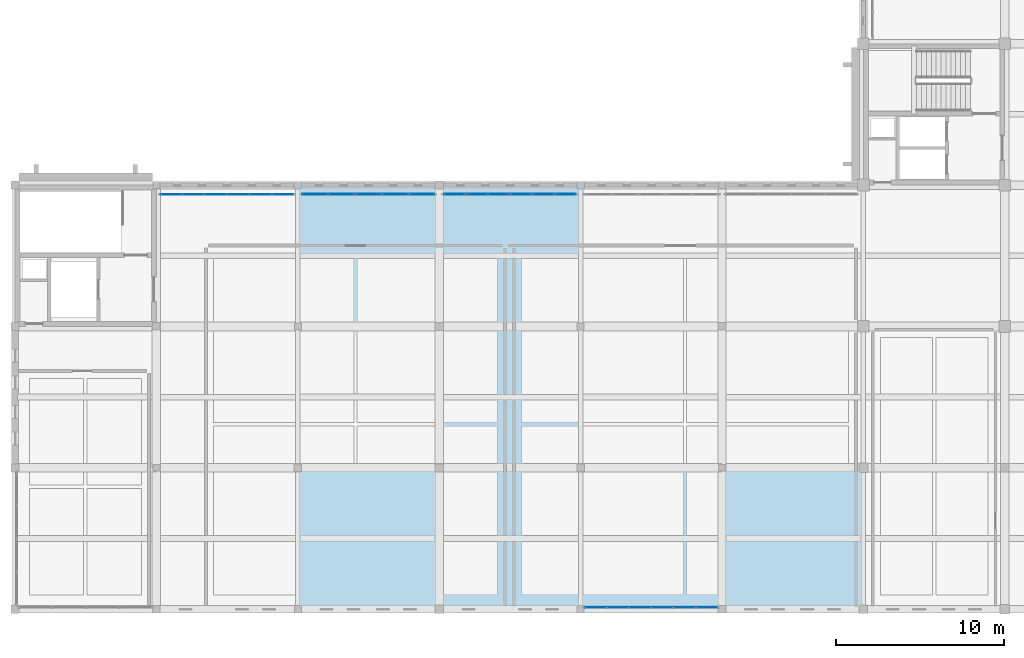
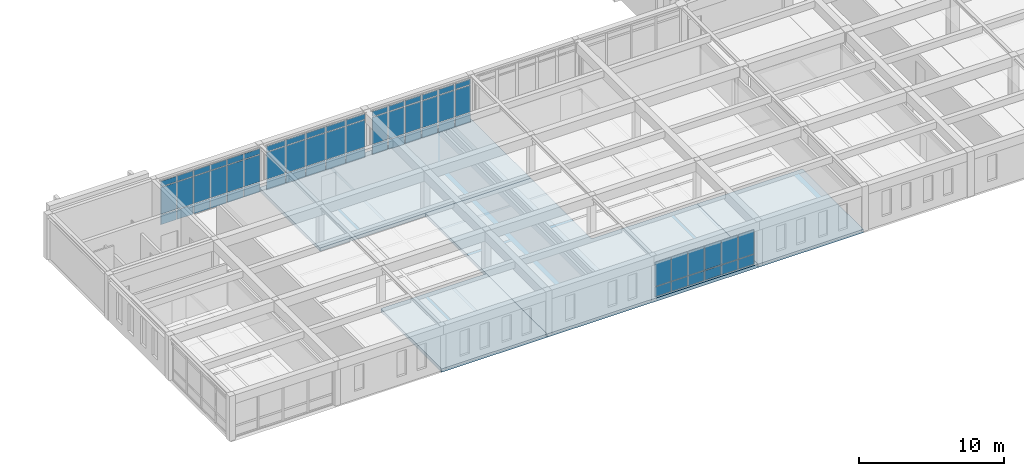
# One storey, part 55 of 110: 63 plates, 4 slabs, 4 elements without a shape of their own.
"""IFC4 building model written with IfcOpenShell, lengths in metres."""

from ifc_helpers import new_model, si_unit, direction, frame, origin, origin_2d, place, context, subcontext, project, spatial, polyline, rectangle, outline, extrude, material, layer, layer_set, type_object, element, aggregate, save


model = new_model("IFC4")

# Units and contexts
model_context = context("Model", 3, precision=1e-05, world=origin(), true_north=direction((0.0, 1.0)))
body_context = subcontext(model_context, "Body", "Model", "MODEL_VIEW")
ifc_project = project(units=[si_unit("LENGTHUNIT", "METRE"), si_unit("AREAUNIT", "SQUARE_METRE"), si_unit("VOLUMEUNIT", "CUBIC_METRE"), si_unit("PLANEANGLEUNIT", "RADIAN"), si_unit("MASSUNIT", "GRAM", prefix="KILO")], contexts=[model_context])

# Site, building, storey
site_placement = place(None, origin())
site = spatial("IfcSite", under=ifc_project, at=site_placement, CompositionType="ELEMENT")
building_placement = place(site_placement, origin())
building = spatial("IfcBuilding", under=site, at=building_placement, Name="Kveldsbrygga Polytechnic", CompositionType="ELEMENT")
storey_placement = place(building_placement, frame((0.0, 0.0, 9.860107421875)))
storey = spatial("IfcBuildingStorey", under=building, at=storey_placement, Name="L02", CompositionType="ELEMENT", Elevation=9.860107421875)

# Curtain wall, plates
ifc_material_1 = material(Name="Anodised aluminium AW-6060", Category="aluminium")
ifc_layer_1 = layer(ifc_material_1, 0.179931640625)
ifc_layer_set_1 = layer_set([ifc_layer_1], Name="Anodised aluminium AW-6060")
curtain_wall_type_1 = type_object("IfcCurtainWallType", Name="CW-CONC-A", PredefinedType="USERDEFINED", material=ifc_layer_set_1)
curtain_wall_1_placement = place(storey_placement, origin())
curtain_wall_1 = element("IfcCurtainWall", 1, at=curtain_wall_1_placement, inside=storey, type_object=curtain_wall_type_1, Name="Curtain Wall CW-L02-X-10-03", ObjectType="UNITISED CURTAIN WALL", PredefinedType="USERDEFINED")
ifc_material_2 = material(Name="Insulated triple low-E glass", Category="glass")
ifc_layer_2 = layer(ifc_material_2, 0.035888671875)
ifc_layer_set_2 = layer_set([ifc_layer_2], Name="Insulated triple low-E glass")
plate_type_1 = type_object("IfcPlateType", Name="CW-PAN-VIS36", PredefinedType="CURTAIN_PANEL", material=ifc_layer_set_2)
plate_1_placement = place(storey_placement, frame((84.8671875, 24.64990234375, 0.059814453125), z_axis=(0.0, 0.0, 1.0), x_axis=(1.0, 0.0, 0.0)))
plate_1 = element("IfcPlate", 2, at=plate_1_placement, type_object=plate_type_1, Name="CW-01 panel 1.1", PredefinedType="CURTAIN_PANEL", context=body_context, shape_type="SweptSolid", body=[
    extrude(rectangle(XDim=1.244140625, YDim=0.035888671875, at=origin_2d()), origin(), (0.0, 0.0, 1.0), 0.81005859375),
])
plate_2_placement = place(storey_placement, frame((84.8671875, 24.64990234375, 0.929931640625), z_axis=(0.0, 0.0, 1.0), x_axis=(1.0, 0.0, 0.0)))
plate_2 = element("IfcPlate", 3, at=plate_2_placement, type_object=plate_type_1, Name="CW-01 panel 1.2", PredefinedType="CURTAIN_PANEL", context=body_context, shape_type="SweptSolid", body=[
    extrude(rectangle(XDim=1.244140625, YDim=0.035888671875, at=origin_2d()), origin(), (0.0, 0.0, 1.0), 2.27001953125),
])
plate_3_placement = place(storey_placement, frame((84.8671875, 24.64990234375, 3.260009765625), z_axis=(0.0, 0.0, 1.0), x_axis=(1.0, 0.0, 0.0)))
plate_3 = element("IfcPlate", 4, at=plate_3_placement, type_object=plate_type_1, Name="CW-01 panel 1.3", PredefinedType="CURTAIN_PANEL", context=body_context, shape_type="SweptSolid", body=[
    extrude(rectangle(XDim=1.244140625, YDim=0.035888671875, at=origin_2d()), origin(), (0.0, 0.0, 1.0), 0.4599609375),
])
plate_4_placement = place(storey_placement, frame((86.186279296875, 24.64990234375, 0.059814453125), z_axis=(0.0, 0.0, 1.0), x_axis=(1.0, 0.0, 0.0)))
plate_4 = element("IfcPlate", 5, at=plate_4_placement, type_object=plate_type_1, Name="CW-01 panel 2.1", PredefinedType="CURTAIN_PANEL", context=body_context, shape_type="SweptSolid", body=[
    extrude(rectangle(XDim=1.274169921875, YDim=0.035888671875, at=origin_2d()), origin(), (0.0, 0.0, 1.0), 0.81005859375),
])
plate_5_placement = place(storey_placement, frame((86.186279296875, 24.64990234375, 0.929931640625), z_axis=(0.0, 0.0, 1.0), x_axis=(1.0, 0.0, 0.0)))
plate_5 = element("IfcPlate", 6, at=plate_5_placement, type_object=plate_type_1, Name="CW-01 panel 2.2", PredefinedType="CURTAIN_PANEL", context=body_context, shape_type="SweptSolid", body=[
    extrude(rectangle(XDim=1.274169921875, YDim=0.035888671875, at=origin_2d()), origin(), (0.0, 0.0, 1.0), 2.27001953125),
])
plate_6_placement = place(storey_placement, frame((86.186279296875, 24.64990234375, 3.260009765625), z_axis=(0.0, 0.0, 1.0), x_axis=(1.0, 0.0, 0.0)))
plate_6 = element("IfcPlate", 7, at=plate_6_placement, type_object=plate_type_1, Name="CW-01 panel 2.3", PredefinedType="CURTAIN_PANEL", context=body_context, shape_type="SweptSolid", body=[
    extrude(rectangle(XDim=1.274169921875, YDim=0.035888671875, at=origin_2d()), origin(), (0.0, 0.0, 1.0), 0.4599609375),
])
plate_7_placement = place(storey_placement, frame((87.5205078125, 24.64990234375, 0.059814453125), z_axis=(0.0, 0.0, 1.0), x_axis=(1.0, 0.0, 0.0)))
plate_7 = element("IfcPlate", 8, at=plate_7_placement, type_object=plate_type_1, Name="CW-01 panel 3.1", PredefinedType="CURTAIN_PANEL", context=body_context, shape_type="SweptSolid", body=[
    extrude(rectangle(XDim=1.274169921875, YDim=0.035888671875, at=origin_2d()), origin(), (0.0, 0.0, 1.0), 0.81005859375),
])
plate_8_placement = place(storey_placement, frame((87.5205078125, 24.64990234375, 0.929931640625), z_axis=(0.0, 0.0, 1.0), x_axis=(1.0, 0.0, 0.0)))
plate_8 = element("IfcPlate", 9, at=plate_8_placement, type_object=plate_type_1, Name="CW-01 panel 3.2", PredefinedType="CURTAIN_PANEL", context=body_context, shape_type="SweptSolid", body=[
    extrude(rectangle(XDim=1.274169921875, YDim=0.035888671875, at=origin_2d()), origin(), (0.0, 0.0, 1.0), 2.27001953125),
])
plate_9_placement = place(storey_placement, frame((87.5205078125, 24.64990234375, 3.260009765625), z_axis=(0.0, 0.0, 1.0), x_axis=(1.0, 0.0, 0.0)))
plate_9 = element("IfcPlate", 10, at=plate_9_placement, type_object=plate_type_1, Name="CW-01 panel 3.3", PredefinedType="CURTAIN_PANEL", context=body_context, shape_type="SweptSolid", body=[
    extrude(rectangle(XDim=1.274169921875, YDim=0.035888671875, at=origin_2d()), origin(), (0.0, 0.0, 1.0), 0.4599609375),
])
plate_10_placement = place(storey_placement, frame((88.8544921875, 24.64990234375, 0.059814453125), z_axis=(0.0, 0.0, 1.0), x_axis=(1.0, 0.0, 0.0)))
plate_10 = element("IfcPlate", 11, at=plate_10_placement, type_object=plate_type_1, Name="CW-01 panel 4.1", PredefinedType="CURTAIN_PANEL", context=body_context, shape_type="SweptSolid", body=[
    extrude(rectangle(XDim=1.274169921875, YDim=0.035888671875, at=origin_2d()), origin(), (0.0, 0.0, 1.0), 0.81005859375),
])
plate_11_placement = place(storey_placement, frame((88.8544921875, 24.64990234375, 0.929931640625), z_axis=(0.0, 0.0, 1.0), x_axis=(1.0, 0.0, 0.0)))
plate_11 = element("IfcPlate", 12, at=plate_11_placement, type_object=plate_type_1, Name="CW-01 panel 4.2", PredefinedType="CURTAIN_PANEL", context=body_context, shape_type="SweptSolid", body=[
    extrude(rectangle(XDim=1.274169921875, YDim=0.035888671875, at=origin_2d()), origin(), (0.0, 0.0, 1.0), 2.27001953125),
])
plate_12_placement = place(storey_placement, frame((88.8544921875, 24.64990234375, 3.260009765625), z_axis=(0.0, 0.0, 1.0), x_axis=(1.0, 0.0, 0.0)))
plate_12 = element("IfcPlate", 13, at=plate_12_placement, type_object=plate_type_1, Name="CW-01 panel 4.3", PredefinedType="CURTAIN_PANEL", context=body_context, shape_type="SweptSolid", body=[
    extrude(rectangle(XDim=1.274169921875, YDim=0.035888671875, at=origin_2d()), origin(), (0.0, 0.0, 1.0), 0.4599609375),
])
plate_13_placement = place(storey_placement, frame((90.188720703125, 24.64990234375, 0.059814453125), z_axis=(0.0, 0.0, 1.0), x_axis=(1.0, 0.0, 0.0)))
plate_13 = element("IfcPlate", 14, at=plate_13_placement, type_object=plate_type_1, Name="CW-01 panel 5.1", PredefinedType="CURTAIN_PANEL", context=body_context, shape_type="SweptSolid", body=[
    extrude(rectangle(XDim=1.274169921875, YDim=0.035888671875, at=origin_2d()), origin(), (0.0, 0.0, 1.0), 0.81005859375),
])
plate_14_placement = place(storey_placement, frame((90.188720703125, 24.64990234375, 0.929931640625), z_axis=(0.0, 0.0, 1.0), x_axis=(1.0, 0.0, 0.0)))
plate_14 = element("IfcPlate", 15, at=plate_14_placement, type_object=plate_type_1, Name="CW-01 panel 5.2", PredefinedType="CURTAIN_PANEL", context=body_context, shape_type="SweptSolid", body=[
    extrude(rectangle(XDim=1.274169921875, YDim=0.035888671875, at=origin_2d()), origin(), (0.0, 0.0, 1.0), 2.27001953125),
])
plate_15_placement = place(storey_placement, frame((90.188720703125, 24.64990234375, 3.260009765625), z_axis=(0.0, 0.0, 1.0), x_axis=(1.0, 0.0, 0.0)))
plate_15 = element("IfcPlate", 16, at=plate_15_placement, type_object=plate_type_1, Name="CW-01 panel 5.3", PredefinedType="CURTAIN_PANEL", context=body_context, shape_type="SweptSolid", body=[
    extrude(rectangle(XDim=1.274169921875, YDim=0.035888671875, at=origin_2d()), origin(), (0.0, 0.0, 1.0), 0.4599609375),
])
plate_16_placement = place(storey_placement, frame((91.5078125, 24.64990234375, 0.059814453125), z_axis=(0.0, 0.0, 1.0), x_axis=(1.0, 0.0, 0.0)))
plate_16 = element("IfcPlate", 17, at=plate_16_placement, type_object=plate_type_1, Name="CW-01 panel 6.1", PredefinedType="CURTAIN_PANEL", context=body_context, shape_type="SweptSolid", body=[
    extrude(rectangle(XDim=1.244140625, YDim=0.035888671875, at=origin_2d()), origin(), (0.0, 0.0, 1.0), 0.81005859375),
])
plate_17_placement = place(storey_placement, frame((91.5078125, 24.64990234375, 0.929931640625), z_axis=(0.0, 0.0, 1.0), x_axis=(1.0, 0.0, 0.0)))
plate_17 = element("IfcPlate", 18, at=plate_17_placement, type_object=plate_type_1, Name="CW-01 panel 6.2", PredefinedType="CURTAIN_PANEL", context=body_context, shape_type="SweptSolid", body=[
    extrude(rectangle(XDim=1.244140625, YDim=0.035888671875, at=origin_2d()), origin(), (0.0, 0.0, 1.0), 2.27001953125),
])
plate_18_placement = place(storey_placement, frame((91.5078125, 24.64990234375, 3.260009765625), z_axis=(0.0, 0.0, 1.0), x_axis=(1.0, 0.0, 0.0)))
plate_18 = element("IfcPlate", 19, at=plate_18_placement, type_object=plate_type_1, Name="CW-01 panel 6.3", PredefinedType="CURTAIN_PANEL", context=body_context, shape_type="SweptSolid", body=[
    extrude(rectangle(XDim=1.244140625, YDim=0.035888671875, at=origin_2d()), origin(), (0.0, 0.0, 1.0), 0.4599609375),
])
aggregate(curtain_wall_1, [plate_1, plate_2, plate_3, plate_4, plate_5, plate_6, plate_7, plate_8, plate_9, plate_10, plate_11, plate_12, plate_13, plate_14, plate_15, plate_16, plate_17, plate_18])

curtain_wall_2_placement = place(storey_placement, origin())
curtain_wall_2 = element("IfcCurtainWall", 20, at=curtain_wall_2_placement, inside=storey, type_object=curtain_wall_type_1, Name="Curtain Wall CW-L02-X-13-00", ObjectType="UNITISED CURTAIN WALL", PredefinedType="USERDEFINED")
plate_19_placement = place(storey_placement, frame((110.076171875, 0.10009765625, 0.059814453125), z_axis=(0.0, 0.0, 1.0), x_axis=(1.0, 0.0, 0.0)))
plate_19 = element("IfcPlate", 21, at=plate_19_placement, type_object=plate_type_1, Name="CW-01 panel 1.1", PredefinedType="CURTAIN_PANEL", context=body_context, shape_type="SweptSolid", body=[
    extrude(rectangle(XDim=1.242431640625, YDim=0.035888671875, at=origin_2d()), origin(), (0.0, 0.0, 1.0), 0.81005859375),
])
plate_20_placement = place(storey_placement, frame((110.076171875, 0.10009765625, 0.9296875), z_axis=(0.0, 0.0, 1.0), x_axis=(1.0, 0.0, 0.0)))
plate_20 = element("IfcPlate", 22, at=plate_20_placement, type_object=plate_type_1, Name="CW-01 panel 1.2", PredefinedType="CURTAIN_PANEL", context=body_context, shape_type="SweptSolid", body=[
    extrude(rectangle(XDim=1.242431640625, YDim=0.035888671875, at=origin_2d()), origin(), (0.0, 0.0, 1.0), 2.030029296875),
])
plate_21_placement = place(storey_placement, frame((111.393798828125, 0.10009765625, 0.059814453125), z_axis=(0.0, 0.0, 1.0), x_axis=(1.0, 0.0, 0.0)))
plate_21 = element("IfcPlate", 23, at=plate_21_placement, type_object=plate_type_1, Name="CW-01 panel 2.1", PredefinedType="CURTAIN_PANEL", context=body_context, shape_type="SweptSolid", body=[
    extrude(rectangle(XDim=1.2724609375, YDim=0.035888671875, at=origin_2d()), origin(), (0.0, 0.0, 1.0), 0.81005859375),
])
plate_22_placement = place(storey_placement, frame((111.393798828125, 0.10009765625, 0.9296875), z_axis=(0.0, 0.0, 1.0), x_axis=(1.0, 0.0, 0.0)))
plate_22 = element("IfcPlate", 24, at=plate_22_placement, type_object=plate_type_1, Name="CW-01 panel 2.2", PredefinedType="CURTAIN_PANEL", context=body_context, shape_type="SweptSolid", body=[
    extrude(rectangle(XDim=1.2724609375, YDim=0.035888671875, at=origin_2d()), origin(), (0.0, 0.0, 1.0), 2.030029296875),
])
plate_23_placement = place(storey_placement, frame((112.726318359375, 0.10009765625, 0.059814453125), z_axis=(0.0, 0.0, 1.0), x_axis=(1.0, 0.0, 0.0)))
plate_23 = element("IfcPlate", 25, at=plate_23_placement, type_object=plate_type_1, Name="CW-01 panel 3.1", PredefinedType="CURTAIN_PANEL", context=body_context, shape_type="SweptSolid", body=[
    extrude(rectangle(XDim=1.2724609375, YDim=0.035888671875, at=origin_2d()), origin(), (0.0, 0.0, 1.0), 0.81005859375),
])
plate_24_placement = place(storey_placement, frame((112.726318359375, 0.10009765625, 0.9296875), z_axis=(0.0, 0.0, 1.0), x_axis=(1.0, 0.0, 0.0)))
plate_24 = element("IfcPlate", 26, at=plate_24_placement, type_object=plate_type_1, Name="CW-01 panel 3.2", PredefinedType="CURTAIN_PANEL", context=body_context, shape_type="SweptSolid", body=[
    extrude(rectangle(XDim=1.2724609375, YDim=0.035888671875, at=origin_2d()), origin(), (0.0, 0.0, 1.0), 2.030029296875),
])
plate_25_placement = place(storey_placement, frame((114.058837890625, 0.10009765625, 0.059814453125), z_axis=(0.0, 0.0, 1.0), x_axis=(1.0, 0.0, 0.0)))
plate_25 = element("IfcPlate", 27, at=plate_25_placement, type_object=plate_type_1, Name="CW-01 panel 4.1", PredefinedType="CURTAIN_PANEL", context=body_context, shape_type="SweptSolid", body=[
    extrude(rectangle(XDim=1.2724609375, YDim=0.035888671875, at=origin_2d()), origin(), (0.0, 0.0, 1.0), 0.81005859375),
])
plate_26_placement = place(storey_placement, frame((114.058837890625, 0.10009765625, 0.9296875), z_axis=(0.0, 0.0, 1.0), x_axis=(1.0, 0.0, 0.0)))
plate_26 = element("IfcPlate", 28, at=plate_26_placement, type_object=plate_type_1, Name="CW-01 panel 4.2", PredefinedType="CURTAIN_PANEL", context=body_context, shape_type="SweptSolid", body=[
    extrude(rectangle(XDim=1.2724609375, YDim=0.035888671875, at=origin_2d()), origin(), (0.0, 0.0, 1.0), 2.030029296875),
])
plate_27_placement = place(storey_placement, frame((115.391357421875, 0.10009765625, 0.059814453125), z_axis=(0.0, 0.0, 1.0), x_axis=(1.0, 0.0, 0.0)))
plate_27 = element("IfcPlate", 29, at=plate_27_placement, type_object=plate_type_1, Name="CW-01 panel 5.1", PredefinedType="CURTAIN_PANEL", context=body_context, shape_type="SweptSolid", body=[
    extrude(rectangle(XDim=1.2724609375, YDim=0.035888671875, at=origin_2d()), origin(), (0.0, 0.0, 1.0), 0.81005859375),
])
plate_28_placement = place(storey_placement, frame((115.391357421875, 0.10009765625, 0.9296875), z_axis=(0.0, 0.0, 1.0), x_axis=(1.0, 0.0, 0.0)))
plate_28 = element("IfcPlate", 30, at=plate_28_placement, type_object=plate_type_1, Name="CW-01 panel 5.2", PredefinedType="CURTAIN_PANEL", context=body_context, shape_type="SweptSolid", body=[
    extrude(rectangle(XDim=1.2724609375, YDim=0.035888671875, at=origin_2d()), origin(), (0.0, 0.0, 1.0), 2.030029296875),
])
plate_29_placement = place(storey_placement, frame((116.708740234375, 0.10009765625, 0.059814453125), z_axis=(0.0, 0.0, 1.0), x_axis=(1.0, 0.0, 0.0)))
plate_29 = element("IfcPlate", 31, at=plate_29_placement, type_object=plate_type_1, Name="CW-01 panel 6.1", PredefinedType="CURTAIN_PANEL", context=body_context, shape_type="SweptSolid", body=[
    extrude(rectangle(XDim=1.242431640625, YDim=0.035888671875, at=origin_2d()), origin(), (0.0, 0.0, 1.0), 0.81005859375),
])
plate_30_placement = place(storey_placement, frame((116.708740234375, 0.10009765625, 0.9296875), z_axis=(0.0, 0.0, 1.0), x_axis=(1.0, 0.0, 0.0)))
plate_30 = element("IfcPlate", 32, at=plate_30_placement, type_object=plate_type_1, Name="CW-01 panel 6.2", PredefinedType="CURTAIN_PANEL", context=body_context, shape_type="SweptSolid", body=[
    extrude(rectangle(XDim=1.242431640625, YDim=0.035888671875, at=origin_2d()), origin(), (0.0, 0.0, 1.0), 2.030029296875),
])
aggregate(curtain_wall_2, [plate_19, plate_20, plate_21, plate_22, plate_23, plate_24, plate_25, plate_26, plate_27, plate_28, plate_29, plate_30])

ifc_layer_3 = layer(ifc_material_1, 0.199951171875)
ifc_layer_set_3 = layer_set([ifc_layer_3], Name="Anodised aluminium AW-6060")
curtain_wall_type_2 = type_object("IfcCurtainWallType", Name="CW-CONC-B", PredefinedType="USERDEFINED", material=ifc_layer_set_3)
curtain_wall_3_placement = place(storey_placement, origin())
curtain_wall_3 = element("IfcCurtainWall", 33, at=curtain_wall_3_placement, inside=storey, type_object=curtain_wall_type_2, Name="Curtain Wall CW-L02-X-11-03", ObjectType="UNITISED CURTAIN WALL", PredefinedType="USERDEFINED")
ifc_layer_4 = layer(ifc_material_2, 0.0419921875)
ifc_layer_set_4 = layer_set([ifc_layer_4], Name="Insulated triple low-E glass")
plate_type_2 = type_object("IfcPlateType", Name="CW-PAN-VIS42", PredefinedType="CURTAIN_PANEL", material=ifc_layer_set_4)
plate_31_placement = place(storey_placement, frame((93.42138671875, 24.64990234375, 0.059814453125), z_axis=(0.0, 0.0, 1.0), x_axis=(1.0, 0.0, 0.0)))
plate_31 = element("IfcPlate", 34, at=plate_31_placement, type_object=plate_type_2, Name="CW-02 panel 1.1", PredefinedType="CURTAIN_PANEL", context=body_context, shape_type="SweptSolid", body=[
    extrude(rectangle(XDim=1.5029296875, YDim=0.0419921875, at=origin_2d()), origin(), (0.0, 0.0, 1.0), 0.81005859375),
])
plate_32_placement = place(storey_placement, frame((93.42138671875, 24.64990234375, 0.929931640625), z_axis=(0.0, 0.0, 1.0), x_axis=(1.0, 0.0, 0.0)))
plate_32 = element("IfcPlate", 35, at=plate_32_placement, type_object=plate_type_2, Name="CW-02 panel 1.2", PredefinedType="CURTAIN_PANEL", context=body_context, shape_type="SweptSolid", body=[
    extrude(rectangle(XDim=1.5029296875, YDim=0.0419921875, at=origin_2d()), origin(), (0.0, 0.0, 1.0), 2.27001953125),
])
plate_33_placement = place(storey_placement, frame((93.42138671875, 24.64990234375, 3.260009765625), z_axis=(0.0, 0.0, 1.0), x_axis=(1.0, 0.0, 0.0)))
plate_33 = element("IfcPlate", 36, at=plate_33_placement, type_object=plate_type_2, Name="CW-02 panel 1.3", PredefinedType="CURTAIN_PANEL", context=body_context, shape_type="SweptSolid", body=[
    extrude(rectangle(XDim=1.5029296875, YDim=0.0419921875, at=origin_2d()), origin(), (0.0, 0.0, 1.0), 0.4599609375),
])
plate_34_placement = place(storey_placement, frame((94.99951171875, 24.64990234375, 0.059814453125), z_axis=(0.0, 0.0, 1.0), x_axis=(1.0, 0.0, 0.0)))
plate_34 = element("IfcPlate", 37, at=plate_34_placement, type_object=plate_type_2, Name="CW-02 panel 2.1", PredefinedType="CURTAIN_PANEL", context=body_context, shape_type="SweptSolid", body=[
    extrude(rectangle(XDim=1.532958984375, YDim=0.0419921875, at=origin_2d()), origin(), (0.0, 0.0, 1.0), 0.81005859375),
])
plate_35_placement = place(storey_placement, frame((94.99951171875, 24.64990234375, 0.929931640625), z_axis=(0.0, 0.0, 1.0), x_axis=(1.0, 0.0, 0.0)))
plate_35 = element("IfcPlate", 38, at=plate_35_placement, type_object=plate_type_2, Name="CW-02 panel 2.2", PredefinedType="CURTAIN_PANEL", context=body_context, shape_type="SweptSolid", body=[
    extrude(rectangle(XDim=1.532958984375, YDim=0.0419921875, at=origin_2d()), origin(), (0.0, 0.0, 1.0), 2.27001953125),
])
plate_36_placement = place(storey_placement, frame((94.99951171875, 24.64990234375, 3.260009765625), z_axis=(0.0, 0.0, 1.0), x_axis=(1.0, 0.0, 0.0)))
plate_36 = element("IfcPlate", 39, at=plate_36_placement, type_object=plate_type_2, Name="CW-02 panel 2.3", PredefinedType="CURTAIN_PANEL", context=body_context, shape_type="SweptSolid", body=[
    extrude(rectangle(XDim=1.532958984375, YDim=0.0419921875, at=origin_2d()), origin(), (0.0, 0.0, 1.0), 0.4599609375),
])
plate_37_placement = place(storey_placement, frame((96.592529296875, 24.64990234375, 0.059814453125), z_axis=(0.0, 0.0, 1.0), x_axis=(1.0, 0.0, 0.0)))
plate_37 = element("IfcPlate", 40, at=plate_37_placement, type_object=plate_type_2, Name="CW-02 panel 3.1", PredefinedType="CURTAIN_PANEL", context=body_context, shape_type="SweptSolid", body=[
    extrude(rectangle(XDim=1.532958984375, YDim=0.0419921875, at=origin_2d()), origin(), (0.0, 0.0, 1.0), 0.81005859375),
])
plate_38_placement = place(storey_placement, frame((96.592529296875, 24.64990234375, 0.929931640625), z_axis=(0.0, 0.0, 1.0), x_axis=(1.0, 0.0, 0.0)))
plate_38 = element("IfcPlate", 41, at=plate_38_placement, type_object=plate_type_2, Name="CW-02 panel 3.2", PredefinedType="CURTAIN_PANEL", context=body_context, shape_type="SweptSolid", body=[
    extrude(rectangle(XDim=1.532958984375, YDim=0.0419921875, at=origin_2d()), origin(), (0.0, 0.0, 1.0), 2.27001953125),
])
plate_39_placement = place(storey_placement, frame((96.592529296875, 24.64990234375, 3.260009765625), z_axis=(0.0, 0.0, 1.0), x_axis=(1.0, 0.0, 0.0)))
plate_39 = element("IfcPlate", 42, at=plate_39_placement, type_object=plate_type_2, Name="CW-02 panel 3.3", PredefinedType="CURTAIN_PANEL", context=body_context, shape_type="SweptSolid", body=[
    extrude(rectangle(XDim=1.532958984375, YDim=0.0419921875, at=origin_2d()), origin(), (0.0, 0.0, 1.0), 0.4599609375),
])
plate_40_placement = place(storey_placement, frame((98.185546875, 24.64990234375, 0.059814453125), z_axis=(0.0, 0.0, 1.0), x_axis=(1.0, 0.0, 0.0)))
plate_40 = element("IfcPlate", 43, at=plate_40_placement, type_object=plate_type_2, Name="CW-02 panel 4.1", PredefinedType="CURTAIN_PANEL", context=body_context, shape_type="SweptSolid", body=[
    extrude(rectangle(XDim=1.532958984375, YDim=0.0419921875, at=origin_2d()), origin(), (0.0, 0.0, 1.0), 0.81005859375),
])
plate_41_placement = place(storey_placement, frame((98.185546875, 24.64990234375, 0.929931640625), z_axis=(0.0, 0.0, 1.0), x_axis=(1.0, 0.0, 0.0)))
plate_41 = element("IfcPlate", 44, at=plate_41_placement, type_object=plate_type_2, Name="CW-02 panel 4.2", PredefinedType="CURTAIN_PANEL", context=body_context, shape_type="SweptSolid", body=[
    extrude(rectangle(XDim=1.532958984375, YDim=0.0419921875, at=origin_2d()), origin(), (0.0, 0.0, 1.0), 2.27001953125),
])
plate_42_placement = place(storey_placement, frame((98.185546875, 24.64990234375, 3.260009765625), z_axis=(0.0, 0.0, 1.0), x_axis=(1.0, 0.0, 0.0)))
plate_42 = element("IfcPlate", 45, at=plate_42_placement, type_object=plate_type_2, Name="CW-02 panel 4.3", PredefinedType="CURTAIN_PANEL", context=body_context, shape_type="SweptSolid", body=[
    extrude(rectangle(XDim=1.532958984375, YDim=0.0419921875, at=origin_2d()), origin(), (0.0, 0.0, 1.0), 0.4599609375),
])
plate_43_placement = place(storey_placement, frame((99.763427734375, 24.64990234375, 0.059814453125), z_axis=(0.0, 0.0, 1.0), x_axis=(1.0, 0.0, 0.0)))
plate_43 = element("IfcPlate", 46, at=plate_43_placement, type_object=plate_type_2, Name="CW-02 panel 5.1", PredefinedType="CURTAIN_PANEL", context=body_context, shape_type="SweptSolid", body=[
    extrude(rectangle(XDim=1.5029296875, YDim=0.0419921875, at=origin_2d()), origin(), (0.0, 0.0, 1.0), 0.81005859375),
])
plate_44_placement = place(storey_placement, frame((99.763427734375, 24.64990234375, 0.929931640625), z_axis=(0.0, 0.0, 1.0), x_axis=(1.0, 0.0, 0.0)))
plate_44 = element("IfcPlate", 47, at=plate_44_placement, type_object=plate_type_2, Name="CW-02 panel 5.2", PredefinedType="CURTAIN_PANEL", context=body_context, shape_type="SweptSolid", body=[
    extrude(rectangle(XDim=1.5029296875, YDim=0.0419921875, at=origin_2d()), origin(), (0.0, 0.0, 1.0), 2.27001953125),
])
plate_45_placement = place(storey_placement, frame((99.763427734375, 24.64990234375, 3.260009765625), z_axis=(0.0, 0.0, 1.0), x_axis=(1.0, 0.0, 0.0)))
plate_45 = element("IfcPlate", 48, at=plate_45_placement, type_object=plate_type_2, Name="CW-02 panel 5.3", PredefinedType="CURTAIN_PANEL", context=body_context, shape_type="SweptSolid", body=[
    extrude(rectangle(XDim=1.5029296875, YDim=0.0419921875, at=origin_2d()), origin(), (0.0, 0.0, 1.0), 0.4599609375),
])
aggregate(curtain_wall_3, [plate_31, plate_32, plate_33, plate_34, plate_35, plate_36, plate_37, plate_38, plate_39, plate_40, plate_41, plate_42, plate_43, plate_44, plate_45])

ifc_layer_5 = layer(ifc_material_1, 0.159912109375)
ifc_layer_set_5 = layer_set([ifc_layer_5], Name="Anodised aluminium AW-6060")
curtain_wall_type_3 = type_object("IfcCurtainWallType", Name="CW-CLER-C", PredefinedType="USERDEFINED", material=ifc_layer_set_5)
curtain_wall_4_placement = place(storey_placement, origin())
curtain_wall_4 = element("IfcCurtainWall", 49, at=curtain_wall_4_placement, inside=storey, type_object=curtain_wall_type_3, Name="Curtain Wall CW-L02-X-12-03", ObjectType="STICK CURTAIN WALL", PredefinedType="USERDEFINED")
ifc_layer_6 = layer(ifc_material_2, 0.048095703125)
ifc_layer_set_6 = layer_set([ifc_layer_6], Name="Insulated triple low-E glass")
plate_type_3 = type_object("IfcPlateType", Name="CW-PAN-VIS48", PredefinedType="CURTAIN_PANEL", material=ifc_layer_set_6)
plate_46_placement = place(storey_placement, frame((101.70751953125, 24.64990234375, 0.074951171875), z_axis=(0.0, 0.0, 1.0), x_axis=(1.0, 0.0, 0.0)))
plate_46 = element("IfcPlate", 50, at=plate_46_placement, type_object=plate_type_3, Name="CW-03 panel 1.1", PredefinedType="CURTAIN_PANEL", context=body_context, shape_type="SweptSolid", body=[
    extrude(rectangle(XDim=1.215087890625, YDim=0.048095703125, at=origin_2d()), origin(), (0.0, 0.0, 1.0), 0.78759765625),
])
plate_47_placement = place(storey_placement, frame((101.70751953125, 24.64990234375, 0.9375), z_axis=(0.0, 0.0, 1.0), x_axis=(1.0, 0.0, 0.0)))
plate_47 = element("IfcPlate", 51, at=plate_47_placement, type_object=plate_type_3, Name="CW-03 panel 1.2", PredefinedType="CURTAIN_PANEL", context=body_context, shape_type="SweptSolid", body=[
    extrude(rectangle(XDim=1.215087890625, YDim=0.048095703125, at=origin_2d()), origin(), (0.0, 0.0, 1.0), 2.2548828125),
])
plate_48_placement = place(storey_placement, frame((101.70751953125, 24.64990234375, 3.267333984375), z_axis=(0.0, 0.0, 1.0), x_axis=(1.0, 0.0, 0.0)))
plate_48 = element("IfcPlate", 52, at=plate_48_placement, type_object=plate_type_3, Name="CW-03 panel 1.3", PredefinedType="CURTAIN_PANEL", context=body_context, shape_type="SweptSolid", body=[
    extrude(rectangle(XDim=1.215087890625, YDim=0.048095703125, at=origin_2d()), origin(), (0.0, 0.0, 1.0), 0.4375),
])
plate_49_placement = place(storey_placement, frame((103.016357421875, 24.64990234375, 0.074951171875), z_axis=(0.0, 0.0, 1.0), x_axis=(1.0, 0.0, 0.0)))
plate_49 = element("IfcPlate", 53, at=plate_49_placement, type_object=plate_type_3, Name="CW-03 panel 2.1", PredefinedType="CURTAIN_PANEL", context=body_context, shape_type="SweptSolid", body=[
    extrude(rectangle(XDim=1.25244140625, YDim=0.048095703125, at=origin_2d()), origin(), (0.0, 0.0, 1.0), 0.78759765625),
])
plate_50_placement = place(storey_placement, frame((103.016357421875, 24.64990234375, 0.9375), z_axis=(0.0, 0.0, 1.0), x_axis=(1.0, 0.0, 0.0)))
plate_50 = element("IfcPlate", 54, at=plate_50_placement, type_object=plate_type_3, Name="CW-03 panel 2.2", PredefinedType="CURTAIN_PANEL", context=body_context, shape_type="SweptSolid", body=[
    extrude(rectangle(XDim=1.25244140625, YDim=0.048095703125, at=origin_2d()), origin(), (0.0, 0.0, 1.0), 2.2548828125),
])
plate_51_placement = place(storey_placement, frame((103.016357421875, 24.64990234375, 3.267333984375), z_axis=(0.0, 0.0, 1.0), x_axis=(1.0, 0.0, 0.0)))
plate_51 = element("IfcPlate", 55, at=plate_51_placement, type_object=plate_type_3, Name="CW-03 panel 2.3", PredefinedType="CURTAIN_PANEL", context=body_context, shape_type="SweptSolid", body=[
    extrude(rectangle(XDim=1.25244140625, YDim=0.048095703125, at=origin_2d()), origin(), (0.0, 0.0, 1.0), 0.4375),
])
plate_52_placement = place(storey_placement, frame((104.34375, 24.64990234375, 0.074951171875), z_axis=(0.0, 0.0, 1.0), x_axis=(1.0, 0.0, 0.0)))
plate_52 = element("IfcPlate", 56, at=plate_52_placement, type_object=plate_type_3, Name="CW-03 panel 3.1", PredefinedType="CURTAIN_PANEL", context=body_context, shape_type="SweptSolid", body=[
    extrude(rectangle(XDim=1.25244140625, YDim=0.048095703125, at=origin_2d()), origin(), (0.0, 0.0, 1.0), 0.78759765625),
])
plate_53_placement = place(storey_placement, frame((104.34375, 24.64990234375, 0.9375), z_axis=(0.0, 0.0, 1.0), x_axis=(1.0, 0.0, 0.0)))
plate_53 = element("IfcPlate", 57, at=plate_53_placement, type_object=plate_type_3, Name="CW-03 panel 3.2", PredefinedType="CURTAIN_PANEL", context=body_context, shape_type="SweptSolid", body=[
    extrude(rectangle(XDim=1.25244140625, YDim=0.048095703125, at=origin_2d()), origin(), (0.0, 0.0, 1.0), 2.2548828125),
])
plate_54_placement = place(storey_placement, frame((104.34375, 24.64990234375, 3.267333984375), z_axis=(0.0, 0.0, 1.0), x_axis=(1.0, 0.0, 0.0)))
plate_54 = element("IfcPlate", 58, at=plate_54_placement, type_object=plate_type_3, Name="CW-03 panel 3.3", PredefinedType="CURTAIN_PANEL", context=body_context, shape_type="SweptSolid", body=[
    extrude(rectangle(XDim=1.25244140625, YDim=0.048095703125, at=origin_2d()), origin(), (0.0, 0.0, 1.0), 0.4375),
])
plate_55_placement = place(storey_placement, frame((105.671142578125, 24.64990234375, 0.074951171875), z_axis=(0.0, 0.0, 1.0), x_axis=(1.0, 0.0, 0.0)))
plate_55 = element("IfcPlate", 59, at=plate_55_placement, type_object=plate_type_3, Name="CW-03 panel 4.1", PredefinedType="CURTAIN_PANEL", context=body_context, shape_type="SweptSolid", body=[
    extrude(rectangle(XDim=1.25244140625, YDim=0.048095703125, at=origin_2d()), origin(), (0.0, 0.0, 1.0), 0.78759765625),
])
plate_56_placement = place(storey_placement, frame((105.671142578125, 24.64990234375, 0.9375), z_axis=(0.0, 0.0, 1.0), x_axis=(1.0, 0.0, 0.0)))
plate_56 = element("IfcPlate", 60, at=plate_56_placement, type_object=plate_type_3, Name="CW-03 panel 4.2", PredefinedType="CURTAIN_PANEL", context=body_context, shape_type="SweptSolid", body=[
    extrude(rectangle(XDim=1.25244140625, YDim=0.048095703125, at=origin_2d()), origin(), (0.0, 0.0, 1.0), 2.2548828125),
])
plate_57_placement = place(storey_placement, frame((105.671142578125, 24.64990234375, 3.267333984375), z_axis=(0.0, 0.0, 1.0), x_axis=(1.0, 0.0, 0.0)))
plate_57 = element("IfcPlate", 61, at=plate_57_placement, type_object=plate_type_3, Name="CW-03 panel 4.3", PredefinedType="CURTAIN_PANEL", context=body_context, shape_type="SweptSolid", body=[
    extrude(rectangle(XDim=1.25244140625, YDim=0.048095703125, at=origin_2d()), origin(), (0.0, 0.0, 1.0), 0.4375),
])
plate_58_placement = place(storey_placement, frame((106.998779296875, 24.64990234375, 0.074951171875), z_axis=(0.0, 0.0, 1.0), x_axis=(1.0, 0.0, 0.0)))
plate_58 = element("IfcPlate", 62, at=plate_58_placement, type_object=plate_type_3, Name="CW-03 panel 5.1", PredefinedType="CURTAIN_PANEL", context=body_context, shape_type="SweptSolid", body=[
    extrude(rectangle(XDim=1.25244140625, YDim=0.048095703125, at=origin_2d()), origin(), (0.0, 0.0, 1.0), 0.78759765625),
])
plate_59_placement = place(storey_placement, frame((106.998779296875, 24.64990234375, 0.9375), z_axis=(0.0, 0.0, 1.0), x_axis=(1.0, 0.0, 0.0)))
plate_59 = element("IfcPlate", 63, at=plate_59_placement, type_object=plate_type_3, Name="CW-03 panel 5.2", PredefinedType="CURTAIN_PANEL", context=body_context, shape_type="SweptSolid", body=[
    extrude(rectangle(XDim=1.25244140625, YDim=0.048095703125, at=origin_2d()), origin(), (0.0, 0.0, 1.0), 2.2548828125),
])
plate_60_placement = place(storey_placement, frame((106.998779296875, 24.64990234375, 3.267333984375), z_axis=(0.0, 0.0, 1.0), x_axis=(1.0, 0.0, 0.0)))
plate_60 = element("IfcPlate", 64, at=plate_60_placement, type_object=plate_type_3, Name="CW-03 panel 5.3", PredefinedType="CURTAIN_PANEL", context=body_context, shape_type="SweptSolid", body=[
    extrude(rectangle(XDim=1.25244140625, YDim=0.048095703125, at=origin_2d()), origin(), (0.0, 0.0, 1.0), 0.4375),
])
plate_61_placement = place(storey_placement, frame((108.3076171875, 24.64990234375, 0.074951171875), z_axis=(0.0, 0.0, 1.0), x_axis=(1.0, 0.0, 0.0)))
plate_61 = element("IfcPlate", 65, at=plate_61_placement, type_object=plate_type_3, Name="CW-03 panel 6.1", PredefinedType="CURTAIN_PANEL", context=body_context, shape_type="SweptSolid", body=[
    extrude(rectangle(XDim=1.215087890625, YDim=0.048095703125, at=origin_2d()), origin(), (0.0, 0.0, 1.0), 0.78759765625),
])
plate_62_placement = place(storey_placement, frame((108.3076171875, 24.64990234375, 0.9375), z_axis=(0.0, 0.0, 1.0), x_axis=(1.0, 0.0, 0.0)))
plate_62 = element("IfcPlate", 66, at=plate_62_placement, type_object=plate_type_3, Name="CW-03 panel 6.2", PredefinedType="CURTAIN_PANEL", context=body_context, shape_type="SweptSolid", body=[
    extrude(rectangle(XDim=1.215087890625, YDim=0.048095703125, at=origin_2d()), origin(), (0.0, 0.0, 1.0), 2.2548828125),
])
plate_63_placement = place(storey_placement, frame((108.3076171875, 24.64990234375, 3.267333984375), z_axis=(0.0, 0.0, 1.0), x_axis=(1.0, 0.0, 0.0)))
plate_63 = element("IfcPlate", 67, at=plate_63_placement, type_object=plate_type_3, Name="CW-03 panel 6.3", PredefinedType="CURTAIN_PANEL", context=body_context, shape_type="SweptSolid", body=[
    extrude(rectangle(XDim=1.215087890625, YDim=0.048095703125, at=origin_2d()), origin(), (0.0, 0.0, 1.0), 0.4375),
])
aggregate(curtain_wall_4, [plate_46, plate_47, plate_48, plate_49, plate_50, plate_51, plate_52, plate_53, plate_54, plate_55, plate_56, plate_57, plate_58, plate_59, plate_60, plate_61, plate_62, plate_63])

# Slabs
ifc_material_3 = material(Name="Concrete C35/45", Category="concrete")
ifc_layer_7 = layer(ifc_material_3, 0.280029296875)
ifc_layer_set_7 = layer_set([ifc_layer_7], Name="Concrete C35/45")
slab_type = type_object("IfcSlabType", Name="SLB-STD-280", PredefinedType="FLOOR", material=ifc_layer_set_7)
slab_1_placement = place(storey_placement, frame((0.0, 0.0, -0.280029296875)))
element("IfcSlab", 68, at=slab_1_placement, inside=storey, type_object=slab_type, Name="Slab SLB-L02-V3-L03-1", PredefinedType="FLOOR", context=body_context, shape_type="SweptSolid", body=[
    extrude(outline(polyline([(100.800048828125, 0.0), (100.800048828125, 8.39990234375), (100.800048828125, 16.800048828125), (109.199951171875, 16.800048828125), (109.199951171875, 8.39990234375), (117.60009765625, 8.39990234375), (117.60009765625, 0.0), (109.199951171875, 0.0), (100.800048828125, 0.0)])), origin(), (0.0, 0.0, 1.0), 0.280029296875),
])
slab_2_placement = place(storey_placement, frame((0.0, 0.0, -0.280029296875)))
element("IfcSlab", 69, at=slab_2_placement, inside=storey, type_object=slab_type, Name="Slab SLB-L02-V3-Z2-1", PredefinedType="FLOOR", context=body_context, shape_type="SweptSolid", body=[
    extrude(outline(polyline([(92.39990234375, 8.39990234375), (100.800048828125, 8.39990234375), (100.800048828125, 0.0), (92.39990234375, 0.0), (92.39990234375, 8.39990234375)])), origin(), (0.0, 0.0, 1.0), 0.280029296875),
])
slab_3_placement = place(storey_placement, frame((0.0, 0.0, -0.280029296875)))
element("IfcSlab", 70, at=slab_3_placement, inside=storey, type_object=slab_type, Name="Slab SLB-L02-V3-Z2-3", PredefinedType="FLOOR", context=body_context, shape_type="SweptSolid", body=[
    extrude(outline(polyline([(92.39990234375, 25.199951171875), (100.800048828125, 25.199951171875), (109.199951171875, 25.199951171875), (109.199951171875, 16.800048828125), (100.800048828125, 16.800048828125), (92.39990234375, 16.800048828125), (92.39990234375, 25.199951171875)])), origin(), (0.0, 0.0, 1.0), 0.280029296875),
])
slab_4_placement = place(storey_placement, frame((0.0, 0.0, -0.280029296875)))
element("IfcSlab", 71, at=slab_4_placement, inside=storey, type_object=slab_type, Name="Slab SLB-L02-V3-Z3-1", PredefinedType="FLOOR", context=body_context, shape_type="SweptSolid", body=[
    extrude(outline(polyline([(117.60009765625, 0.0), (117.60009765625, 8.39990234375), (126.0, 8.39990234375), (126.0, 0.0), (117.60009765625, 0.0)])), origin(), (0.0, 0.0, 1.0), 0.280029296875),
])

save(model, "model.ifc")
